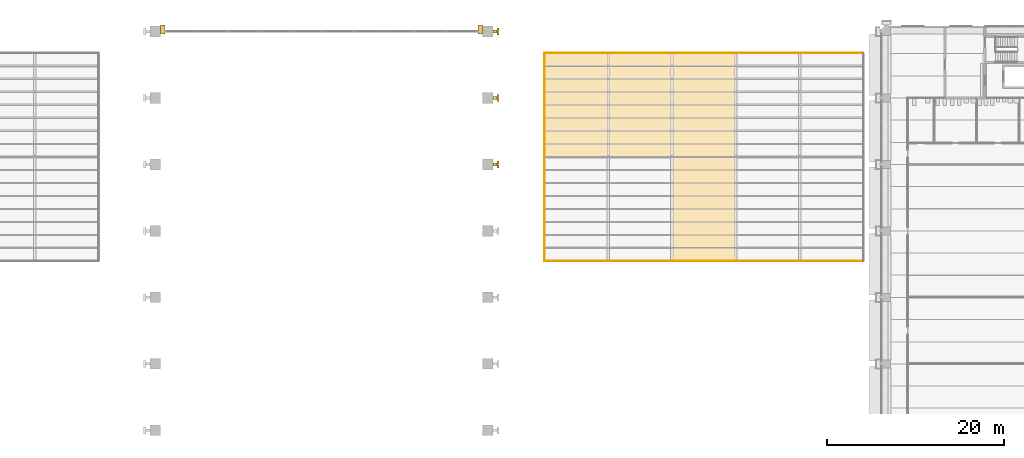
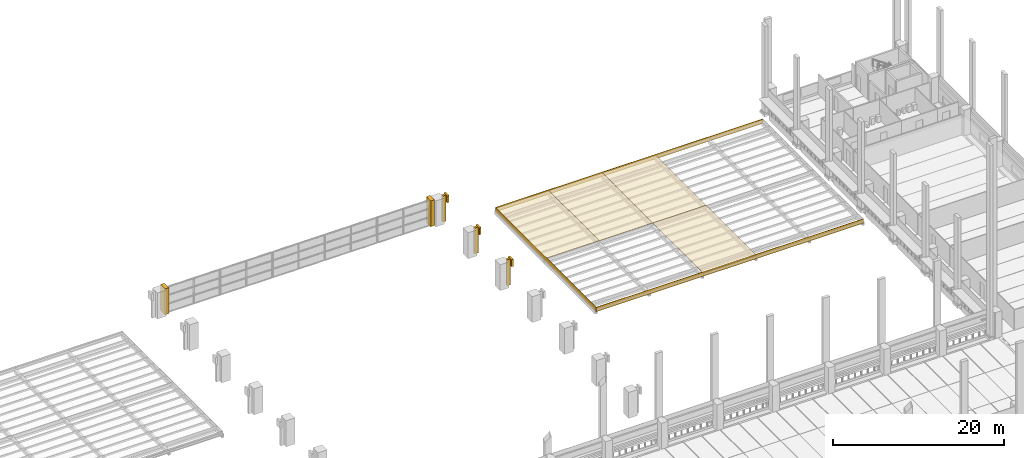
# One storey, part 55 of 67: 15 coverings, 1 element without a shape of its own.
"""IFC4 building model written with IfcOpenShell, lengths in metres."""

from ifc_helpers import new_model, si_unit, direction, frame, origin, place, context, subcontext, project, spatial, polyline, outline, extrude, material, layer, layer_set, type_object, element, aggregate, save


model = new_model("IFC4")

# Units and contexts
model_context = context("Model", 3, precision=1e-05, world=origin(), true_north=direction((0.0, 1.0)))
body_context = subcontext(model_context, "Body", "Model", "MODEL_VIEW")
ifc_project = project(units=[si_unit("LENGTHUNIT", "METRE"), si_unit("AREAUNIT", "SQUARE_METRE"), si_unit("VOLUMEUNIT", "CUBIC_METRE"), si_unit("PLANEANGLEUNIT", "RADIAN"), si_unit("MASSUNIT", "GRAM", prefix="KILO")], contexts=[model_context])

# Site, building, storey
site_placement = place(None, origin())
site = spatial("IfcSite", under=ifc_project, at=site_placement, CompositionType="ELEMENT")
building_placement = place(site_placement, origin())
building = spatial("IfcBuilding", under=site, at=building_placement, Name="Cour d'Honneur Mobility Palace", CompositionType="ELEMENT")
storey_placement = place(building_placement, frame((0.0, 0.0, 4.5)))
storey = spatial("IfcBuildingStorey", under=building, at=storey_placement, Name="L01", CompositionType="ELEMENT", Elevation=4.5)

# Roof, coverings
ifc_material_1 = material(Name="Zinc standing seam")
ifc_layer_1 = layer(ifc_material_1, 0.050048828125)
ifc_layer_set_1 = layer_set([ifc_layer_1], Name="Zinc standing seam")
roof_type = type_object("IfcRoofType", Name="Forecourt canopy", PredefinedType="FLAT_ROOF", material=ifc_layer_set_1)
roof_placement = place(storey_placement, origin())
roof = element("IfcRoof", 1, at=roof_placement, inside=storey, type_object=roof_type, Name="Forecourt canopy roof E", PredefinedType="FLAT_ROOF")
ifc_material_2 = material(Name="Cast limestone", Category="masonry")
ifc_layer_2 = layer(ifc_material_2, 0.0400390625)
ifc_layer_set_2 = layer_set([ifc_layer_2], Name="Cast limestone")
covering_type_1 = type_object("IfcCoveringType", Name="Canopy fascia", PredefinedType="CLADDING", material=ifc_layer_set_2)
covering_1_placement = place(storey_placement, frame((106.300048828125, 89.0, 0.800048828125), z_axis=(0.0, -1.0, 0.0), x_axis=(1.0, 0.0, 0.0)))
covering_1 = element("IfcCovering", 2, at=covering_1_placement, type_object=covering_type_1, Name="Canopy fascia FCF-E1", PredefinedType="CLADDING", context=body_context, shape_type="SweptSolid", body=[
    extrude(outline(polyline([(0.0, 0.0), (36.0, 0.0), (36.0, 0.64990234375), (0.0, 0.64990234375), (0.0, 0.0)])), origin(), (0.0, 0.0, -1.0), 0.0400390625),
])
covering_2_placement = place(storey_placement, frame((142.300048828125, 112.5, 0.800048828125), z_axis=(0.0, 1.0, 0.0), x_axis=(-1.0, 0.0, 0.0)))
covering_2 = element("IfcCovering", 3, at=covering_2_placement, type_object=covering_type_1, Name="Canopy fascia FCF-E3", PredefinedType="CLADDING", context=body_context, shape_type="SweptSolid", body=[
    extrude(outline(polyline([(0.0, 0.0), (36.0, 0.0), (36.0, 0.64990234375), (0.0, 0.64990234375), (0.0, 0.0)])), origin(), (0.0, 0.0, -1.0), 0.0400390625),
])
covering_3_placement = place(storey_placement, frame((106.300048828125, 112.5, 0.800048828125), z_axis=(-1.0, 0.0, 0.0), x_axis=(0.0, -1.0, 0.0)))
covering_3 = element("IfcCovering", 4, at=covering_3_placement, type_object=covering_type_1, Name="Canopy fascia FCF-E4", PredefinedType="CLADDING", context=body_context, shape_type="SweptSolid", body=[
    extrude(outline(polyline([(0.0, 0.0), (23.5, 0.0), (23.5, 0.64990234375), (0.0, 0.64990234375), (0.0, 0.0)])), origin(), (0.0, 0.0, -1.0), 0.0400390625),
])
ifc_material_3 = material(Name="Zinc standing seam")
ifc_layer_3 = layer(ifc_material_3, 0.050048828125)
ifc_layer_set_3 = layer_set([ifc_layer_3], Name="Zinc standing seam")
covering_type_2 = type_object("IfcCoveringType", Name="Canopy roof panel", PredefinedType="ROOFING", material=ifc_layer_set_3)
covering_4_placement = place(storey_placement, frame((106.300048828125, 100.75, 1.300048828125), z_axis=(0.0, 0.0, 1.0), x_axis=(1.0, 0.0, 0.0)))
covering_4 = element("IfcCovering", 5, at=covering_4_placement, type_object=covering_type_2, Name="Canopy roof panel FCS-E2", PredefinedType="ROOFING", context=body_context, shape_type="SweptSolid", body=[
    extrude(outline(polyline([(0.0, 0.0), (7.199951171875, 0.0), (7.199951171875, 11.75), (0.0, 11.75), (0.0, 0.0)])), origin(), (0.0, 0.0, -1.0), 0.050048828125),
])
covering_5_placement = place(storey_placement, frame((113.5, 100.75, 1.300048828125), z_axis=(0.0, 0.0, 1.0), x_axis=(1.0, 0.0, 0.0)))
covering_5 = element("IfcCovering", 6, at=covering_5_placement, type_object=covering_type_2, Name="Canopy roof panel FCS-E4", PredefinedType="ROOFING", context=body_context, shape_type="SweptSolid", body=[
    extrude(outline(polyline([(0.0, 0.0), (7.199951171875, 0.0), (7.199951171875, 11.75), (0.0, 11.75), (0.0, 0.0)])), origin(), (0.0, 0.0, -1.0), 0.050048828125),
])
covering_6_placement = place(storey_placement, frame((120.699951171875, 89.0, 1.300048828125), z_axis=(0.0, 0.0, 1.0), x_axis=(1.0, 0.0, 0.0)))
covering_6 = element("IfcCovering", 7, at=covering_6_placement, type_object=covering_type_2, Name="Canopy roof panel FCS-E5", PredefinedType="ROOFING", context=body_context, shape_type="SweptSolid", body=[
    extrude(outline(polyline([(0.0, 0.0), (7.199951171875, 0.0), (7.199951171875, 11.75), (0.0, 11.75), (0.0, 0.0)])), origin(), (0.0, 0.0, -1.0), 0.050048828125),
])
covering_7_placement = place(storey_placement, frame((120.699951171875, 100.75, 1.300048828125), z_axis=(0.0, 0.0, 1.0), x_axis=(1.0, 0.0, 0.0)))
covering_7 = element("IfcCovering", 8, at=covering_7_placement, type_object=covering_type_2, Name="Canopy roof panel FCS-E6", PredefinedType="ROOFING", context=body_context, shape_type="SweptSolid", body=[
    extrude(outline(polyline([(0.0, 0.0), (7.199951171875, 0.0), (7.199951171875, 11.75), (0.0, 11.75), (0.0, 0.0)])), origin(), (0.0, 0.0, -1.0), 0.050048828125),
])
aggregate(roof, [covering_4, covering_5, covering_6, covering_7, covering_1, covering_2, covering_3])

# Coverings
ifc_material_4 = material(Name="Cast limestone", Category="masonry")
ifc_layer_4 = layer(ifc_material_4, 0.300048828125)
ifc_layer_set_4 = layer_set([ifc_layer_4], Name="Cast limestone")
covering_type_3 = type_object("IfcCoveringType", Name="Pier fin", PredefinedType="CLADDING", material=ifc_layer_set_4)
covering_8_placement = place(storey_placement, origin())
element("IfcCovering", 9, at=covering_8_placement, inside=storey, type_object=covering_type_3, Name="Pier fin HP-E6 L01", PredefinedType="CLADDING", context=body_context, shape_type="SweptSolid", body=[
    extrude(outline(polyline([(100.5, 99.75), (100.949951171875, 99.75), (100.949951171875, 100.050048828125), (100.5, 100.050048828125), (100.5, 99.75)])), origin(), (0.0, 0.0, 1.0), 3.699951171875),
])
covering_9_placement = place(storey_placement, origin())
element("IfcCovering", 10, at=covering_9_placement, inside=storey, type_object=covering_type_3, Name="Pier fin HP-E7 L01", PredefinedType="CLADDING", context=body_context, shape_type="SweptSolid", body=[
    extrude(outline(polyline([(100.5, 107.25), (100.949951171875, 107.25), (100.949951171875, 107.550048828125), (100.5, 107.550048828125), (100.5, 107.25)])), origin(), (0.0, 0.0, 1.0), 3.699951171875),
])
covering_10_placement = place(storey_placement, origin())
element("IfcCovering", 11, at=covering_10_placement, inside=storey, type_object=covering_type_3, Name="Pier fin HP-E8 L01", PredefinedType="CLADDING", context=body_context, shape_type="SweptSolid", body=[
    extrude(outline(polyline([(100.5, 114.75), (100.949951171875, 114.75), (100.949951171875, 115.050048828125), (100.5, 115.050048828125), (100.5, 114.75)])), origin(), (0.0, 0.0, 1.0), 3.699951171875),
])
ifc_material_5 = material(Name="Cast limestone", Category="masonry")
ifc_layer_5 = layer(ifc_material_5, 0.1201171875)
ifc_layer_set_5 = layer_set([ifc_layer_5], Name="Cast limestone")
covering_type_4 = type_object("IfcCoveringType", Name="Pilaster capital", PredefinedType="CLADDING", material=ifc_layer_set_5)
covering_11_placement = place(storey_placement, frame((0.0, 0.0, 2.699951171875)))
element("IfcCovering", 12, at=covering_11_placement, inside=storey, type_object=covering_type_4, Name="Hall pilaster capital HP-E6", PredefinedType="CLADDING", context=body_context, shape_type="SweptSolid", body=[
    extrude(outline(polyline([(100.949951171875, 99.5), (101.199951171875, 99.5), (101.199951171875, 100.300048828125), (100.949951171875, 100.300048828125), (100.949951171875, 99.5)])), origin(), (0.0, 0.0, 1.0), 1.0),
])
covering_12_placement = place(storey_placement, frame((0.0, 0.0, 2.699951171875)))
element("IfcCovering", 13, at=covering_12_placement, inside=storey, type_object=covering_type_4, Name="Hall pilaster capital HP-E7", PredefinedType="CLADDING", context=body_context, shape_type="SweptSolid", body=[
    extrude(outline(polyline([(100.949951171875, 107.0), (101.199951171875, 107.0), (101.199951171875, 107.800048828125), (100.949951171875, 107.800048828125), (100.949951171875, 107.0)])), origin(), (0.0, 0.0, 1.0), 1.0),
])
covering_13_placement = place(storey_placement, frame((0.0, 0.0, 2.699951171875)))
element("IfcCovering", 14, at=covering_13_placement, inside=storey, type_object=covering_type_4, Name="Hall pilaster capital HP-E8", PredefinedType="CLADDING", context=body_context, shape_type="SweptSolid", body=[
    extrude(outline(polyline([(100.949951171875, 114.5), (101.199951171875, 114.5), (101.199951171875, 115.300048828125), (100.949951171875, 115.300048828125), (100.949951171875, 114.5)])), origin(), (0.0, 0.0, 1.0), 1.0),
])
ifc_material_6 = material(Name="Cast limestone", Category="masonry")
ifc_layer_6 = layer(ifc_material_6, 0.75)
ifc_layer_set_6 = layer_set([ifc_layer_6], Name="Cast limestone")
covering_type_5 = type_object("IfcCoveringType", Name="Portal architrave", PredefinedType="CLADDING", material=ifc_layer_set_6)
covering_14_placement = place(storey_placement, origin())
element("IfcCovering", 15, at=covering_14_placement, inside=storey, type_object=covering_type_5, Name="Portal jamb L01", PredefinedType="CLADDING", context=body_context, shape_type="SweptSolid", body=[
    extrude(outline(polyline([(63.0, 114.60009765625), (63.5, 114.60009765625), (63.5, 115.64990234375), (63.0, 115.64990234375), (63.0, 114.60009765625)])), origin(), (0.0, 0.0, 1.0), 3.699951171875),
])
covering_15_placement = place(storey_placement, origin())
element("IfcCovering", 16, at=covering_15_placement, inside=storey, type_object=covering_type_5, Name="Portal jamb L01", PredefinedType="CLADDING", context=body_context, shape_type="SweptSolid", body=[
    extrude(outline(polyline([(98.800048828125, 114.60009765625), (99.300048828125, 114.60009765625), (99.300048828125, 115.64990234375), (98.800048828125, 115.64990234375), (98.800048828125, 114.60009765625)])), origin(), (0.0, 0.0, 1.0), 3.699951171875),
])

save(model, "model.ifc")
